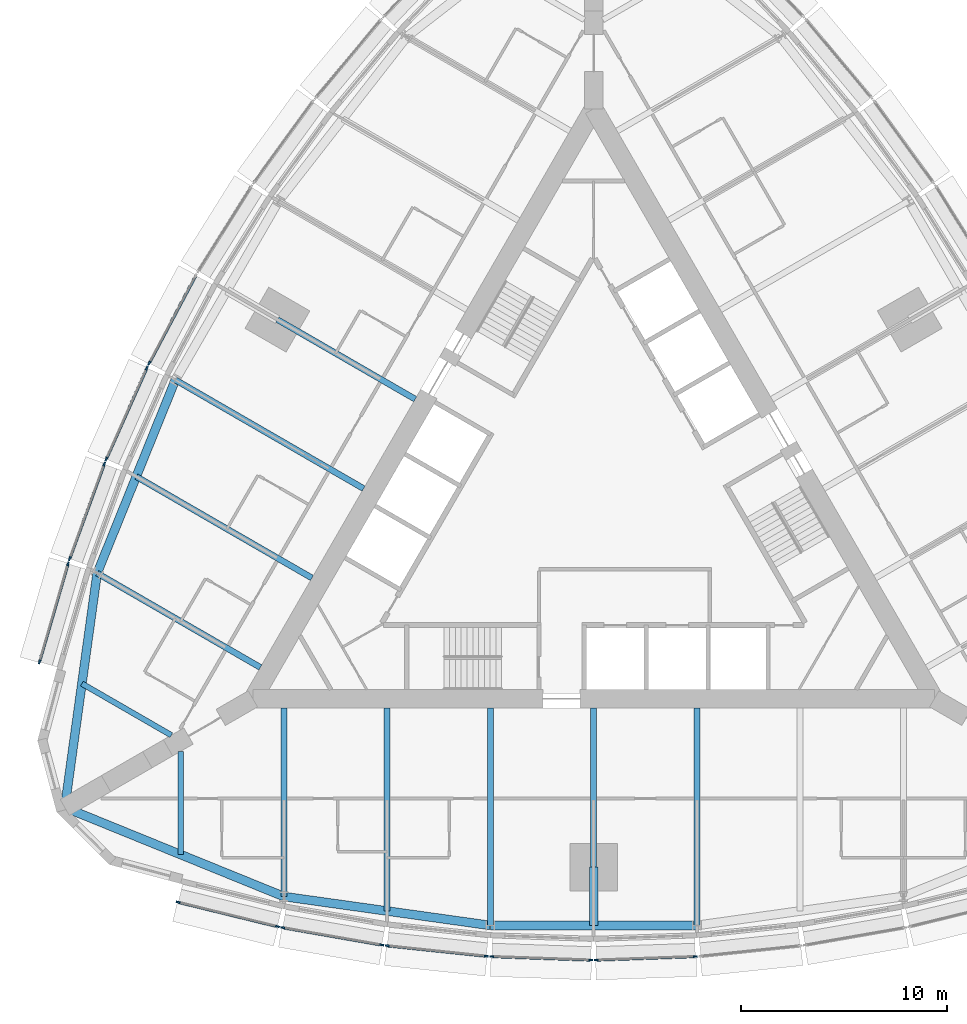
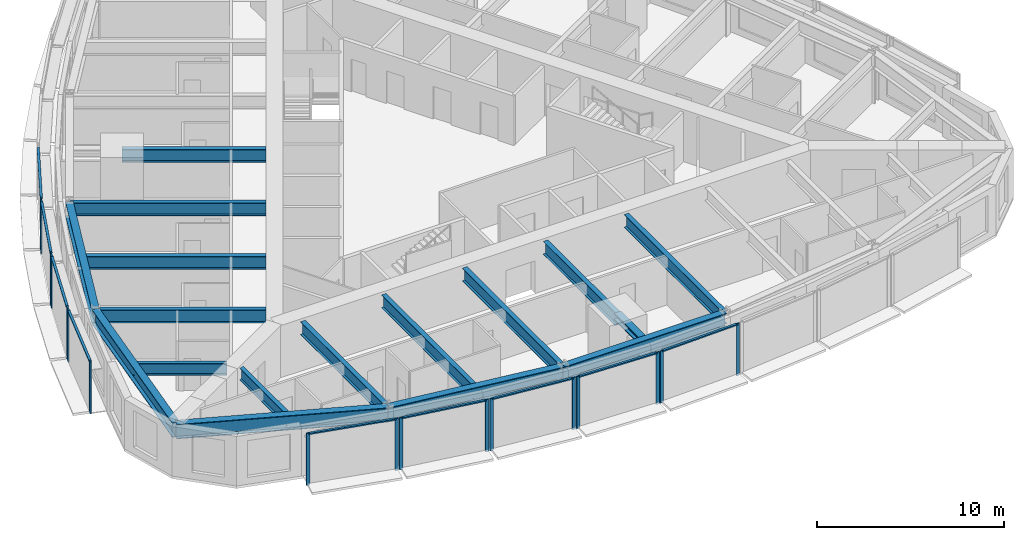
# One storey, part 2 of 14: 26 members, 17 beams, 9 elements without a shape of their own.
"""IFC4 building model written with IfcOpenShell, lengths in metres."""

from ifc_helpers import new_model, si_unit, direction, frame, origin, origin_2d, place, context, subcontext, project, spatial, rectangle, i_section, extrude, material, material_profile, profile_set, type_object, element, aggregate, save


model = new_model("IFC4")

# Units and contexts
model_context = context("Model", 3, precision=1e-05, world=origin(), true_north=direction((0.0, 1.0)))
body_context = subcontext(model_context, "Body", "Model", "MODEL_VIEW")
ifc_project = project(units=[si_unit("LENGTHUNIT", "METRE"), si_unit("AREAUNIT", "SQUARE_METRE"), si_unit("VOLUMEUNIT", "CUBIC_METRE"), si_unit("PLANEANGLEUNIT", "RADIAN"), si_unit("MASSUNIT", "GRAM", prefix="KILO")], contexts=[model_context])

# Site, building, storey
site_placement = place(None, origin())
site = spatial("IfcSite", under=ifc_project, at=site_placement, CompositionType="ELEMENT")
building_placement = place(site_placement, origin())
building = spatial("IfcBuilding", under=site, at=building_placement, Name="Trikona Tower", CompositionType="ELEMENT")
storey_placement = place(building_placement, frame((0.0, 0.0, 179.300048828125)))
storey = spatial("IfcBuildingStorey", under=building, at=storey_placement, Name="L48", CompositionType="ELEMENT", Elevation=179.300048828125)

# Curtain wall, members
ifc_material_1 = material(Name="Aluminium curtain wall system", Category="aluminium")
curtain_wall_type = type_object("IfcCurtainWallType", Name="Curtain wall DS2", PredefinedType="NOTDEFINED", material=ifc_material_1)
curtain_wall_1_placement = place(storey_placement, origin())
curtain_wall_1 = element("IfcCurtainWall", 1, at=curtain_wall_1_placement, inside=storey, type_object=curtain_wall_type, Name="Curtain wall DS2 L48", PredefinedType="NOTDEFINED")
ifc_material_2 = material(Name="Aluminium mullion, pale anodised", Category="aluminium")
ifc_material_profile_1 = material_profile(ifc_material_2, rectangle(XDim=0.080078125, YDim=0.199951171875, at=origin_2d()), Name="MUL-DS2")
ifc_profile_set_1 = profile_set([ifc_material_profile_1], Name="Aluminium mullion, pale anodised")
member_type_1 = type_object("IfcMemberType", Name="Mullion DS2 80x200", PredefinedType="MULLION", material=ifc_profile_set_1)
member_1_placement = place(storey_placement, frame((-20.116943359375, -19.373046875, 0.0), z_axis=(0.0, 0.0, 1.0), x_axis=(0.237970204243, 0.971272455026, 0.0)))
member_1 = element("IfcMember", 2, at=member_1_placement, type_object=member_type_1, Name="CW-DS2 mullion 1", PredefinedType="MULLION", context=body_context, shape_type="SweptSolid", body=[
    extrude(rectangle(XDim=0.080078125, YDim=0.199951171875, at=origin_2d()), origin(), (0.0, 0.0, 1.0), 3.39990234375),
])
member_2_placement = place(storey_placement, frame((-15.311279296875, -20.550537109375, 0.0), z_axis=(0.0, 0.0, 1.0), x_axis=(0.237970204243, 0.971272455026, 0.0)))
member_2 = element("IfcMember", 3, at=member_2_placement, type_object=member_type_1, Name="CW-DS2 mullion 2", PredefinedType="MULLION", context=body_context, shape_type="SweptSolid", body=[
    extrude(rectangle(XDim=0.080078125, YDim=0.199951171875, at=origin_2d()), origin(), (0.0, 0.0, 1.0), 3.39990234375),
])

curtain_wall_2_placement = place(storey_placement, origin())
curtain_wall_2 = element("IfcCurtainWall", 4, at=curtain_wall_2_placement, inside=storey, type_object=curtain_wall_type, Name="Curtain wall DS2 L48", PredefinedType="NOTDEFINED")
member_3_placement = place(storey_placement, frame((-15.056640625, -20.60400390625, 0.0), z_axis=(0.0, 0.0, 1.0), x_axis=(0.17237739505, 0.985030981074, 0.0)))
member_3 = element("IfcMember", 5, at=member_3_placement, type_object=member_type_1, Name="CW-DS2 mullion 1", PredefinedType="MULLION", context=body_context, shape_type="SweptSolid", body=[
    extrude(rectangle(XDim=0.080078125, YDim=0.199951171875, at=origin_2d()), origin(), (0.0, 0.0, 1.0), 3.39990234375),
])
member_4_placement = place(storey_placement, frame((-10.253662109375, -21.444580078125, 0.0), z_axis=(0.0, 0.0, 1.0), x_axis=(0.17237739505, 0.985030981074, 0.0)))
member_4 = element("IfcMember", 6, at=member_4_placement, type_object=member_type_1, Name="CW-DS2 mullion 2", PredefinedType="MULLION", context=body_context, shape_type="SweptSolid", body=[
    extrude(rectangle(XDim=0.080078125, YDim=0.199951171875, at=origin_2d()), origin(), (0.0, 0.0, 1.0), 3.39990234375),
])

curtain_wall_3_placement = place(storey_placement, origin())
curtain_wall_3 = element("IfcCurtainWall", 7, at=curtain_wall_3_placement, inside=storey, type_object=curtain_wall_type, Name="Curtain wall DS2 L48", PredefinedType="NOTDEFINED")
member_5_placement = place(storey_placement, frame((-9.99462890625, -21.480712890625, 0.0), z_axis=(0.0, 0.0, 1.0), x_axis=(0.104433387357, 0.994531883654, 0.0)))
member_5 = element("IfcMember", 8, at=member_5_placement, type_object=member_type_1, Name="CW-DS2 mullion 1", PredefinedType="MULLION", context=body_context, shape_type="SweptSolid", body=[
    extrude(rectangle(XDim=0.080078125, YDim=0.199951171875, at=origin_2d()), origin(), (0.0, 0.0, 1.0), 3.39990234375),
])
member_6_placement = place(storey_placement, frame((-5.193359375, -21.98486328125, 0.0), z_axis=(0.0, 0.0, 1.0), x_axis=(0.104433387357, 0.994531883654, 0.0)))
member_6 = element("IfcMember", 9, at=member_6_placement, type_object=member_type_1, Name="CW-DS2 mullion 2", PredefinedType="MULLION", context=body_context, shape_type="SweptSolid", body=[
    extrude(rectangle(XDim=0.080078125, YDim=0.199951171875, at=origin_2d()), origin(), (0.0, 0.0, 1.0), 3.39990234375),
])

curtain_wall_4_placement = place(storey_placement, origin())
curtain_wall_4 = element("IfcCurtainWall", 10, at=curtain_wall_4_placement, inside=storey, type_object=curtain_wall_type, Name="Curtain wall DS2 L48", PredefinedType="NOTDEFINED")
member_7_placement = place(storey_placement, frame((-4.931640625, -22.003173828125, 0.0), z_axis=(0.0, 0.0, 1.0), x_axis=(0.034998320052, 0.99938737114, 0.0)))
member_7 = element("IfcMember", 11, at=member_7_placement, type_object=member_type_1, Name="CW-DS2 mullion 1", PredefinedType="MULLION", context=body_context, shape_type="SweptSolid", body=[
    extrude(rectangle(XDim=0.080078125, YDim=0.199951171875, at=origin_2d()), origin(), (0.0, 0.0, 1.0), 3.39990234375),
])
member_8_placement = place(storey_placement, frame((-0.13134765625, -22.171142578125, 0.0), z_axis=(0.0, 0.0, 1.0), x_axis=(0.034998320052, 0.99938737114, 0.0)))
member_8 = element("IfcMember", 12, at=member_8_placement, type_object=member_type_1, Name="CW-DS2 mullion 2", PredefinedType="MULLION", context=body_context, shape_type="SweptSolid", body=[
    extrude(rectangle(XDim=0.080078125, YDim=0.199951171875, at=origin_2d()), origin(), (0.0, 0.0, 1.0), 3.39990234375),
])

curtain_wall_5_placement = place(storey_placement, origin())
curtain_wall_5 = element("IfcCurtainWall", 13, at=curtain_wall_5_placement, inside=storey, type_object=curtain_wall_type, Name="Curtain wall DS2 L48", PredefinedType="NOTDEFINED")
member_9_placement = place(storey_placement, frame((0.13134765625, -22.171142578125, 0.0), z_axis=(0.0, 0.0, 1.0), x_axis=(-0.034998320052, 0.99938737114, 0.0)))
member_9 = element("IfcMember", 14, at=member_9_placement, type_object=member_type_1, Name="CW-DS2 mullion 1", PredefinedType="MULLION", context=body_context, shape_type="SweptSolid", body=[
    extrude(rectangle(XDim=0.080078125, YDim=0.199951171875, at=origin_2d()), origin(), (0.0, 0.0, 1.0), 3.39990234375),
])
member_10_placement = place(storey_placement, frame((4.931640625, -22.003173828125, 0.0), z_axis=(0.0, 0.0, 1.0), x_axis=(-0.034998320052, 0.99938737114, 0.0)))
member_10 = element("IfcMember", 15, at=member_10_placement, type_object=member_type_1, Name="CW-DS2 mullion 2", PredefinedType="MULLION", context=body_context, shape_type="SweptSolid", body=[
    extrude(rectangle(XDim=0.080078125, YDim=0.199951171875, at=origin_2d()), origin(), (0.0, 0.0, 1.0), 3.39990234375),
])

# Curtain wall, member
curtain_wall_6_placement = place(storey_placement, origin())
curtain_wall_6 = element("IfcCurtainWall", 16, at=curtain_wall_6_placement, inside=storey, type_object=curtain_wall_type, Name="Curtain wall DS2 L48", PredefinedType="NOTDEFINED")
member_11_placement = place(storey_placement, frame((-21.52099609375, 6.730712890625, 0.0), z_axis=(0.0, 0.0, 1.0), x_axis=(0.882996107343, -0.469380308937, 0.0)))
member_11 = element("IfcMember", 17, at=member_11_placement, type_object=member_type_1, Name="CW-DS2 mullion 2", PredefinedType="MULLION", context=body_context, shape_type="SweptSolid", body=[
    extrude(rectangle(XDim=0.080078125, YDim=0.199951171875, at=origin_2d()), origin(), (0.0, 0.0, 1.0), 3.39990234375),
])

# Curtain wall, members
curtain_wall_7_placement = place(storey_placement, origin())
curtain_wall_7 = element("IfcCurtainWall", 18, at=curtain_wall_7_placement, inside=storey, type_object=curtain_wall_type, Name="Curtain wall DS2 L48", PredefinedType="NOTDEFINED")
member_12_placement = place(storey_placement, frame((-21.63623046875, 6.494873046875, 0.0), z_axis=(0.0, 0.0, 1.0), x_axis=(0.913501208767, -0.406836013132, 0.0)))
member_12 = element("IfcMember", 19, at=member_12_placement, type_object=member_type_1, Name="CW-DS2 mullion 1", PredefinedType="MULLION", context=body_context, shape_type="SweptSolid", body=[
    extrude(rectangle(XDim=0.080078125, YDim=0.199951171875, at=origin_2d()), origin(), (0.0, 0.0, 1.0), 3.39990234375),
])
member_13_placement = place(storey_placement, frame((-23.60009765625, 2.0849609375, 0.0), z_axis=(0.0, 0.0, 1.0), x_axis=(0.913501208767, -0.406836013132, 0.0)))
member_13 = element("IfcMember", 20, at=member_13_placement, type_object=member_type_1, Name="CW-DS2 mullion 2", PredefinedType="MULLION", context=body_context, shape_type="SweptSolid", body=[
    extrude(rectangle(XDim=0.080078125, YDim=0.199951171875, at=origin_2d()), origin(), (0.0, 0.0, 1.0), 3.39990234375),
])

curtain_wall_8_placement = place(storey_placement, origin())
curtain_wall_8 = element("IfcCurtainWall", 21, at=curtain_wall_8_placement, inside=storey, type_object=curtain_wall_type, Name="Curtain wall DS2 L48", PredefinedType="NOTDEFINED")
member_14_placement = place(storey_placement, frame((-23.6982421875, 1.84228515625, 0.0), z_axis=(0.0, 0.0, 1.0), x_axis=(0.939253790978, -0.343223420143, 0.0)))
member_14 = element("IfcMember", 22, at=member_14_placement, type_object=member_type_1, Name="CW-DS2 mullion 1", PredefinedType="MULLION", context=body_context, shape_type="SweptSolid", body=[
    extrude(rectangle(XDim=0.080078125, YDim=0.199951171875, at=origin_2d()), origin(), (0.0, 0.0, 1.0), 3.39990234375),
])
member_15_placement = place(storey_placement, frame((-25.371826171875, -2.737548828125, 0.0), z_axis=(0.0, 0.0, 1.0), x_axis=(0.939253790978, -0.343223420143, 0.0)))
member_15 = element("IfcMember", 23, at=member_15_placement, type_object=member_type_1, Name="CW-DS2 mullion 2", PredefinedType="MULLION", context=body_context, shape_type="SweptSolid", body=[
    extrude(rectangle(XDim=0.080078125, YDim=0.199951171875, at=origin_2d()), origin(), (0.0, 0.0, 1.0), 3.39990234375),
])

curtain_wall_9_placement = place(storey_placement, origin())
curtain_wall_9 = element("IfcCurtainWall", 24, at=curtain_wall_9_placement, inside=storey, type_object=curtain_wall_type, Name="Curtain wall DS2 L48", PredefinedType="NOTDEFINED")
member_16_placement = place(storey_placement, frame((-25.452880859375, -2.984619140625, 0.0), z_axis=(0.0, 0.0, 1.0), x_axis=(0.96013310152, -0.279543247757, 0.0)))
member_16 = element("IfcMember", 25, at=member_16_placement, type_object=member_type_1, Name="CW-DS2 mullion 1", PredefinedType="MULLION", context=body_context, shape_type="SweptSolid", body=[
    extrude(rectangle(XDim=0.080078125, YDim=0.199951171875, at=origin_2d()), origin(), (0.0, 0.0, 1.0), 3.39990234375),
])
member_17_placement = place(storey_placement, frame((-26.836181640625, -7.7353515625, 0.0), z_axis=(0.0, 0.0, 1.0), x_axis=(0.96013310152, -0.279543247757, 0.0)))
member_17 = element("IfcMember", 26, at=member_17_placement, type_object=member_type_1, Name="CW-DS2 mullion 2", PredefinedType="MULLION", context=body_context, shape_type="SweptSolid", body=[
    extrude(rectangle(XDim=0.080078125, YDim=0.199951171875, at=origin_2d()), origin(), (0.0, 0.0, 1.0), 3.39990234375),
])

# Beams
ifc_material_3 = material(Name="Steel ASTM A992 Grade 50", Category="steel")
ifc_material_profile_2 = material_profile(ifc_material_3, i_section(OverallWidth=0.419189453125, OverallDepth=0.45458984375, WebThickness=0.042236328125, FlangeThickness=0.067626953125, at=origin_2d()), Name="W14X370")
ifc_profile_set_2 = profile_set([ifc_material_profile_2], Name="Steel ASTM A992 Grade 50")
beam_type_1 = type_object("IfcBeamType", Name="Steel beam W14x370 (apex bracket)", PredefinedType="BEAM", material=ifc_profile_set_2)
beam_1_placement = place(storey_placement, frame((0.0, -17.680419921875, 3.007568359375), z_axis=(0.0, -1.0, 0.0), x_axis=(1.0, 0.0, 0.0)))
element("IfcBeam", 27, at=beam_1_placement, inside=storey, type_object=beam_type_1, Name="Cantilever bracket L49 F1", PredefinedType="BEAM", context=body_context, shape_type="SweptSolid", body=[
    extrude(i_section(OverallWidth=0.419189453125, OverallDepth=0.45458984375, WebThickness=0.042236328125, FlangeThickness=0.067626953125, at=origin_2d()), origin(), (0.0, 0.0, 1.0), 2.81982421875),
])
ifc_material_4 = material(Name="Steel ASTM A992 Grade 50", Category="steel")
ifc_material_profile_3 = material_profile(ifc_material_4, i_section(OverallWidth=0.2666015625, OverallDepth=0.76953125, WebThickness=0.015625, FlangeThickness=0.025390625, at=origin_2d()), Name="W30X132")
ifc_profile_set_3 = profile_set([ifc_material_profile_3], Name="Steel ASTM A992 Grade 50")
beam_type_2 = type_object("IfcBeamType", Name="Steel beam W30x132 (wedge)", PredefinedType="BEAM", material=ifc_profile_set_3)
beam_2_placement = place(storey_placement, frame((-20.0, -12.066650390625, 2.85009765625), z_axis=(0.0, -1.0, 0.0), x_axis=(1.0, 0.0, 0.0)))
element("IfcBeam", 28, at=beam_2_placement, inside=storey, type_object=beam_type_2, Name="Floor beam L49 F1 u-20", PredefinedType="BEAM", context=body_context, shape_type="SweptSolid", body=[
    extrude(i_section(OverallWidth=0.2666015625, OverallDepth=0.76953125, WebThickness=0.015625, FlangeThickness=0.025390625, at=origin_2d()), origin(), (0.0, 0.0, 1.0), 5.00048828125),
])
beam_3_placement = place(storey_placement, frame((-20.449951171875, -11.287109375, 2.85009765625), z_axis=(-0.866038434829, 0.49997742889, 0.0), x_axis=(-0.49997742889, -0.866038434829, 0.0)))
element("IfcBeam", 29, at=beam_3_placement, inside=storey, type_object=beam_type_2, Name="Floor beam L49 F3 u20", PredefinedType="BEAM", context=body_context, shape_type="SweptSolid", body=[
    extrude(i_section(OverallWidth=0.2666015625, OverallDepth=0.76953125, WebThickness=0.015625, FlangeThickness=0.025390625, at=origin_2d()), origin(), (0.0, 0.0, 1.0), 5.000732421875),
])
ifc_material_5 = material(Name="Steel ASTM A992 Grade 50", Category="steel")
ifc_material_profile_4 = material_profile(ifc_material_5, i_section(OverallWidth=0.2919921875, OverallDepth=0.845703125, WebThickness=0.015380859375, FlangeThickness=0.0244140625, at=origin_2d()), Name="W33X141")
ifc_profile_set_4 = profile_set([ifc_material_profile_4], Name="Steel ASTM A992 Grade 50")
beam_type_3 = type_object("IfcBeamType", Name="Steel beam W33x141 (radial typ)", PredefinedType="BEAM", material=ifc_profile_set_4)
beam_4_placement = place(storey_placement, frame((-15.0, -9.976318359375, 2.81201171875), z_axis=(0.0, -1.0, 0.0), x_axis=(1.0, 0.0, 0.0)))
element("IfcBeam", 30, at=beam_4_placement, inside=storey, type_object=beam_type_3, Name="Floor beam L49 F1 u-15", PredefinedType="BEAM", context=body_context, shape_type="SweptSolid", body=[
    extrude(i_section(OverallWidth=0.2919921875, OverallDepth=0.845703125, WebThickness=0.015380859375, FlangeThickness=0.0244140625, at=origin_2d()), origin(), (0.0, 0.0, 1.0), 9.123779296875),
])
beam_5_placement = place(storey_placement, frame((-10.0, -9.976318359375, 2.81201171875), z_axis=(0.0, -1.0, 0.0), x_axis=(1.0, 0.0, 0.0)))
element("IfcBeam", 31, at=beam_5_placement, inside=storey, type_object=beam_type_3, Name="Floor beam L49 F1 u-10", PredefinedType="BEAM", context=body_context, shape_type="SweptSolid", body=[
    extrude(i_section(OverallWidth=0.2919921875, OverallDepth=0.845703125, WebThickness=0.015380859375, FlangeThickness=0.0244140625, at=origin_2d()), origin(), (0.0, 0.0, 1.0), 9.823974609375),
])
beam_6_placement = place(storey_placement, frame((-5.0, -9.976318359375, 2.81201171875), z_axis=(0.0, -1.0, 0.0), x_axis=(1.0, 0.0, 0.0)))
element("IfcBeam", 32, at=beam_6_placement, inside=storey, type_object=beam_type_3, Name="Floor beam L49 F1 u-5", PredefinedType="BEAM", context=body_context, shape_type="SweptSolid", body=[
    extrude(i_section(OverallWidth=0.2919921875, OverallDepth=0.845703125, WebThickness=0.015380859375, FlangeThickness=0.0244140625, at=origin_2d()), origin(), (0.0, 0.0, 1.0), 10.52392578125),
])
beam_7_placement = place(storey_placement, frame((0.0, -9.976318359375, 2.81201171875), z_axis=(0.0, -1.0, 0.0), x_axis=(1.0, 0.0, 0.0)))
element("IfcBeam", 33, at=beam_7_placement, inside=storey, type_object=beam_type_3, Name="Floor beam L49 F1 u0", PredefinedType="BEAM", context=body_context, shape_type="SweptSolid", body=[
    extrude(i_section(OverallWidth=0.2919921875, OverallDepth=0.845703125, WebThickness=0.015380859375, FlangeThickness=0.0244140625, at=origin_2d()), origin(), (0.0, 0.0, 1.0), 7.7041015625),
])
beam_8_placement = place(storey_placement, frame((5.0, -9.976318359375, 2.81201171875), z_axis=(0.0, -1.0, 0.0), x_axis=(1.0, 0.0, 0.0)))
element("IfcBeam", 34, at=beam_8_placement, inside=storey, type_object=beam_type_3, Name="Floor beam L49 F1 u5", PredefinedType="BEAM", context=body_context, shape_type="SweptSolid", body=[
    extrude(i_section(OverallWidth=0.2919921875, OverallDepth=0.845703125, WebThickness=0.015380859375, FlangeThickness=0.0244140625, at=origin_2d()), origin(), (0.0, 0.0, 1.0), 10.52392578125),
])
beam_9_placement = place(storey_placement, frame((-8.6396484375, 4.988037109375, 2.81201171875), z_axis=(-0.866017246294, 0.500014128921, 0.0), x_axis=(-0.500014128921, -0.866017246294, 0.0)))
element("IfcBeam", 35, at=beam_9_placement, inside=storey, type_object=beam_type_3, Name="Floor beam L49 F3 u0", PredefinedType="BEAM", context=body_context, shape_type="SweptSolid", body=[
    extrude(i_section(OverallWidth=0.2919921875, OverallDepth=0.845703125, WebThickness=0.015380859375, FlangeThickness=0.0244140625, at=origin_2d()), origin(), (0.0, 0.0, 1.0), 7.704345703125),
])
beam_10_placement = place(storey_placement, frame((-11.1396484375, 0.657958984375, 2.81201171875), z_axis=(-0.866026035623, 0.499998905622, 0.0), x_axis=(-0.499998905622, -0.866026035623, 0.0)))
element("IfcBeam", 36, at=beam_10_placement, inside=storey, type_object=beam_type_3, Name="Floor beam L49 F3 u5", PredefinedType="BEAM", context=body_context, shape_type="SweptSolid", body=[
    extrude(i_section(OverallWidth=0.2919921875, OverallDepth=0.845703125, WebThickness=0.015380859375, FlangeThickness=0.0244140625, at=origin_2d()), origin(), (0.0, 0.0, 1.0), 10.52392578125),
])
beam_11_placement = place(storey_placement, frame((-13.6396484375, -3.672119140625, 2.81201171875), z_axis=(-0.866020046725, 0.500009278584, 0.0), x_axis=(-0.500009278584, -0.866020046725, 0.0)))
element("IfcBeam", 37, at=beam_11_placement, inside=storey, type_object=beam_type_3, Name="Floor beam L49 F3 u10", PredefinedType="BEAM", context=body_context, shape_type="SweptSolid", body=[
    extrude(i_section(OverallWidth=0.2919921875, OverallDepth=0.845703125, WebThickness=0.015380859375, FlangeThickness=0.0244140625, at=origin_2d()), origin(), (0.0, 0.0, 1.0), 9.823974609375),
])
beam_12_placement = place(storey_placement, frame((-16.1396484375, -8.002197265625, 2.81201171875), z_axis=(-0.866024725532, 0.500001174766, 0.0), x_axis=(-0.500001174766, -0.866024725532, 0.0)))
element("IfcBeam", 38, at=beam_12_placement, inside=storey, type_object=beam_type_3, Name="Floor beam L49 F3 u15", PredefinedType="BEAM", context=body_context, shape_type="SweptSolid", body=[
    extrude(i_section(OverallWidth=0.2919921875, OverallDepth=0.845703125, WebThickness=0.015380859375, FlangeThickness=0.0244140625, at=origin_2d()), origin(), (0.0, 0.0, 1.0), 9.1240234375),
])
ifc_material_6 = material(Name="Steel ASTM A992 Grade 50", Category="steel")
ifc_material_profile_5 = material_profile(ifc_material_6, i_section(OverallWidth=0.424072265625, OverallDepth=0.947509765625, WebThickness=0.02392578125, FlangeThickness=0.042724609375, at=origin_2d()), Name="W36X302")
ifc_profile_set_5 = profile_set([ifc_material_profile_5], Name="Steel ASTM A992 Grade 50")
beam_type_4 = type_object("IfcBeamType", Name="Steel beam W36x302 (spandrel)", PredefinedType="SPANDREL", material=ifc_profile_set_5)
beam_13_placement = place(storey_placement, frame((-25.6103515625, -14.7861328125, 2.76123046875), z_axis=(0.926359695662, -0.376640032728, 0.0), x_axis=(0.376640032728, 0.926359695662, 0.0)))
element("IfcBeam", 39, at=beam_13_placement, inside=storey, type_object=beam_type_4, Name="Spandrel beam L49 F1-1", PredefinedType="SPANDREL", context=body_context, shape_type="SweptSolid", body=[
    extrude(i_section(OverallWidth=0.424072265625, OverallDepth=0.947509765625, WebThickness=0.02392578125, FlangeThickness=0.042724609375, at=origin_2d()), origin(), (0.0, 0.0, 1.0), 11.453857421875),
])
beam_14_placement = place(storey_placement, frame((-15.0, -19.10009765625, 2.76123046875), z_axis=(0.990339754644, -0.13866207258, 0.0), x_axis=(0.13866207258, 0.990339754644, 0.0)))
element("IfcBeam", 40, at=beam_14_placement, inside=storey, type_object=beam_type_4, Name="Spandrel beam L49 F1-2", PredefinedType="SPANDREL", context=body_context, shape_type="SweptSolid", body=[
    extrude(i_section(OverallWidth=0.424072265625, OverallDepth=0.947509765625, WebThickness=0.02392578125, FlangeThickness=0.042724609375, at=origin_2d()), origin(), (0.0, 0.0, 1.0), 10.09765625),
])
beam_15_placement = place(storey_placement, frame((-5.0, -20.500244140625, 2.76123046875), z_axis=(1.0, 0.0, 0.0), x_axis=(0.0, 1.0, 0.0)))
element("IfcBeam", 41, at=beam_15_placement, inside=storey, type_object=beam_type_4, Name="Spandrel beam L49 F1-3", PredefinedType="SPANDREL", context=body_context, shape_type="SweptSolid", body=[
    extrude(i_section(OverallWidth=0.424072265625, OverallDepth=0.947509765625, WebThickness=0.02392578125, FlangeThickness=0.042724609375, at=origin_2d()), origin(), (0.0, 0.0, 1.0), 10.0),
])
beam_16_placement = place(storey_placement, frame((-20.253662109375, 5.919921875, 2.76123046875), z_axis=(-0.375106193787, -0.926981846307, 0.0), x_axis=(0.926981846307, -0.375106193787, 0.0)))
element("IfcBeam", 42, at=beam_16_placement, inside=storey, type_object=beam_type_4, Name="Spandrel beam L49 F3-4", PredefinedType="SPANDREL", context=body_context, shape_type="SweptSolid", body=[
    extrude(i_section(OverallWidth=0.424072265625, OverallDepth=0.947509765625, WebThickness=0.02392578125, FlangeThickness=0.042724609375, at=origin_2d()), origin(), (0.0, 0.0, 1.0), 10.097412109375),
])
beam_17_placement = place(storey_placement, frame((-24.041259765625, -3.440185546875, 2.76123046875), z_axis=(-0.136991535842, -0.990572218017, 0.0), x_axis=(0.990572218017, -0.136991535842, 0.0)))
element("IfcBeam", 43, at=beam_17_placement, inside=storey, type_object=beam_type_4, Name="Spandrel beam L49 F3-5", PredefinedType="SPANDREL", context=body_context, shape_type="SweptSolid", body=[
    extrude(i_section(OverallWidth=0.424072265625, OverallDepth=0.947509765625, WebThickness=0.02392578125, FlangeThickness=0.042724609375, at=origin_2d()), origin(), (0.0, 0.0, 1.0), 11.453857421875),
])

# Member
ifc_material_7 = material(Name="Aluminium transom, pale anodised", Category="aluminium")
ifc_material_profile_6 = material_profile(ifc_material_7, rectangle(XDim=0.139892578125, YDim=0.080078125, at=origin_2d()), Name="TRN-DS2")
ifc_profile_set_6 = profile_set([ifc_material_profile_6], Name="Aluminium transom, pale anodised")
member_type_2 = type_object("IfcMemberType", Name="Transom DS2 80x140", PredefinedType="USERDEFINED", material=ifc_profile_set_6)
member_18_placement = place(storey_placement, frame((-20.078125, -19.382568359375, 3.35986328125), z_axis=(0.971270583303, -0.237977843528, 0.0), x_axis=(0.237977843528, 0.971270583303, 0.0)))
member_18 = element("IfcMember", 44, at=member_18_placement, type_object=member_type_2, Name="CW-DS2 transom 1.1", ObjectType="TRANSOM", PredefinedType="USERDEFINED", context=body_context, shape_type="SweptSolid", body=[
    extrude(rectangle(XDim=0.139892578125, YDim=0.080078125, at=origin_2d()), origin(), (0.0, 0.0, 1.0), 4.867919921875),
])

aggregate(curtain_wall_1, [member_1, member_2, member_18])

member_19_placement = place(storey_placement, frame((-15.01708984375, -20.61083984375, 3.35986328125), z_axis=(0.98503262804, -0.172367983387, 0.0), x_axis=(0.172367983387, 0.98503262804, 0.0)))
member_19 = element("IfcMember", 45, at=member_19_placement, type_object=member_type_2, Name="CW-DS2 transom 1.1", ObjectType="TRANSOM", PredefinedType="USERDEFINED", context=body_context, shape_type="SweptSolid", body=[
    extrude(rectangle(XDim=0.139892578125, YDim=0.080078125, at=origin_2d()), origin(), (0.0, 0.0, 1.0), 4.7958984375),
])

aggregate(curtain_wall_2, [member_3, member_4, member_19])

member_20_placement = place(storey_placement, frame((-9.954833984375, -21.48486328125, 3.35986328125), z_axis=(0.99453106441, -0.104441188822, 0.0), x_axis=(0.104441188822, 0.99453106441, 0.0)))
member_20 = element("IfcMember", 46, at=member_20_placement, type_object=member_type_2, Name="CW-DS2 transom 1.1", ObjectType="TRANSOM", PredefinedType="USERDEFINED", context=body_context, shape_type="SweptSolid", body=[
    extrude(rectangle(XDim=0.139892578125, YDim=0.080078125, at=origin_2d()), origin(), (0.0, 0.0, 1.0), 4.74755859375),
])

aggregate(curtain_wall_3, [member_5, member_6, member_20])

member_21_placement = place(storey_placement, frame((-4.8916015625, -22.00439453125, 3.35986328125), z_axis=(0.999385692759, -0.035046213908, 0.0), x_axis=(0.035046213908, 0.999385692759, 0.0)))
member_21 = element("IfcMember", 47, at=member_21_placement, type_object=member_type_2, Name="CW-DS2 transom 1.1", ObjectType="TRANSOM", PredefinedType="USERDEFINED", context=body_context, shape_type="SweptSolid", body=[
    extrude(rectangle(XDim=0.139892578125, YDim=0.080078125, at=origin_2d()), origin(), (0.0, 0.0, 1.0), 4.72314453125),
])

aggregate(curtain_wall_4, [member_7, member_8, member_21])

member_22_placement = place(storey_placement, frame((0.17138671875, -22.169921875, 3.35986328125), z_axis=(0.999385692759, 0.035046213908, 0.0), x_axis=(-0.035046213908, 0.999385692759, 0.0)))
member_22 = element("IfcMember", 48, at=member_22_placement, type_object=member_type_2, Name="CW-DS2 transom 1.1", ObjectType="TRANSOM", PredefinedType="USERDEFINED", context=body_context, shape_type="SweptSolid", body=[
    extrude(rectangle(XDim=0.139892578125, YDim=0.080078125, at=origin_2d()), origin(), (0.0, 0.0, 1.0), 4.72314453125),
])

aggregate(curtain_wall_5, [member_9, member_10, member_22])

member_23_placement = place(storey_placement, frame((-19.285400390625, 10.9365234375, 3.35986328125), z_axis=(-0.469364343408, -0.883004594063, 0.0), x_axis=(0.883004594063, -0.469364343408, 0.0)))
member_23 = element("IfcMember", 49, at=member_23_placement, type_object=member_type_2, Name="CW-DS2 transom 1.1", ObjectType="TRANSOM", PredefinedType="USERDEFINED", context=body_context, shape_type="SweptSolid", body=[
    extrude(rectangle(XDim=0.139892578125, YDim=0.080078125, at=origin_2d()), origin(), (0.0, 0.0, 1.0), 4.722900390625),
])

aggregate(curtain_wall_6, [member_11, member_23])

member_24_placement = place(storey_placement, frame((-21.65234375, 6.458251953125, 3.35986328125), z_axis=(-0.406839769607, -0.913499535778, 0.0), x_axis=(0.913499535778, -0.406839769607, 0.0)))
member_24 = element("IfcMember", 50, at=member_24_placement, type_object=member_type_2, Name="CW-DS2 transom 1.1", ObjectType="TRANSOM", PredefinedType="USERDEFINED", context=body_context, shape_type="SweptSolid", body=[
    extrude(rectangle(XDim=0.139892578125, YDim=0.080078125, at=origin_2d()), origin(), (0.0, 0.0, 1.0), 4.747314453125),
])

aggregate(curtain_wall_7, [member_12, member_13, member_24])

member_25_placement = place(storey_placement, frame((-23.712158203125, 1.8046875, 3.35986328125), z_axis=(-0.343205907674, -0.939260190223, 0.0), x_axis=(0.939260190223, -0.343205907674, 0.0)))
member_25 = element("IfcMember", 51, at=member_25_placement, type_object=member_type_2, Name="CW-DS2 transom 1.1", ObjectType="TRANSOM", PredefinedType="USERDEFINED", context=body_context, shape_type="SweptSolid", body=[
    extrude(rectangle(XDim=0.139892578125, YDim=0.080078125, at=origin_2d()), origin(), (0.0, 0.0, 1.0), 4.7958984375),
])

aggregate(curtain_wall_8, [member_14, member_15, member_25])

member_26_placement = place(storey_placement, frame((-25.464111328125, -3.023193359375, 3.35986328125), z_axis=(-0.279566628153, -0.960126293996, 0.0), x_axis=(0.960126293996, -0.279566628153, 0.0)))
member_26 = element("IfcMember", 52, at=member_26_placement, type_object=member_type_2, Name="CW-DS2 transom 1.1", ObjectType="TRANSOM", PredefinedType="USERDEFINED", context=body_context, shape_type="SweptSolid", body=[
    extrude(rectangle(XDim=0.139892578125, YDim=0.080078125, at=origin_2d()), origin(), (0.0, 0.0, 1.0), 4.86767578125),
])

aggregate(curtain_wall_9, [member_16, member_17, member_26])

save(model, "model.ifc")
